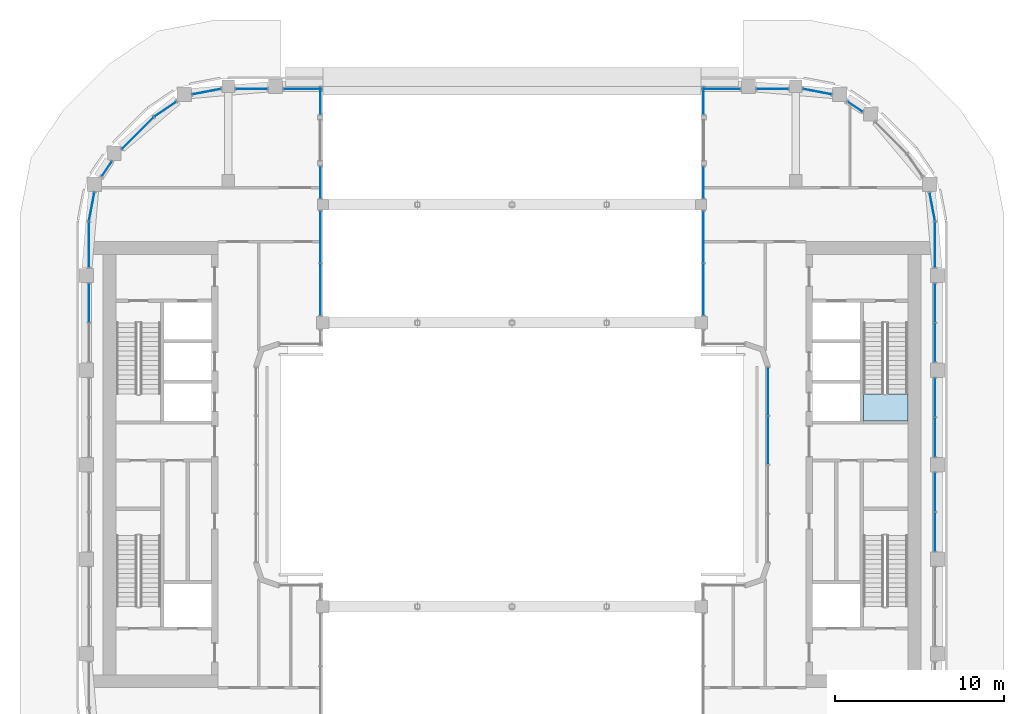
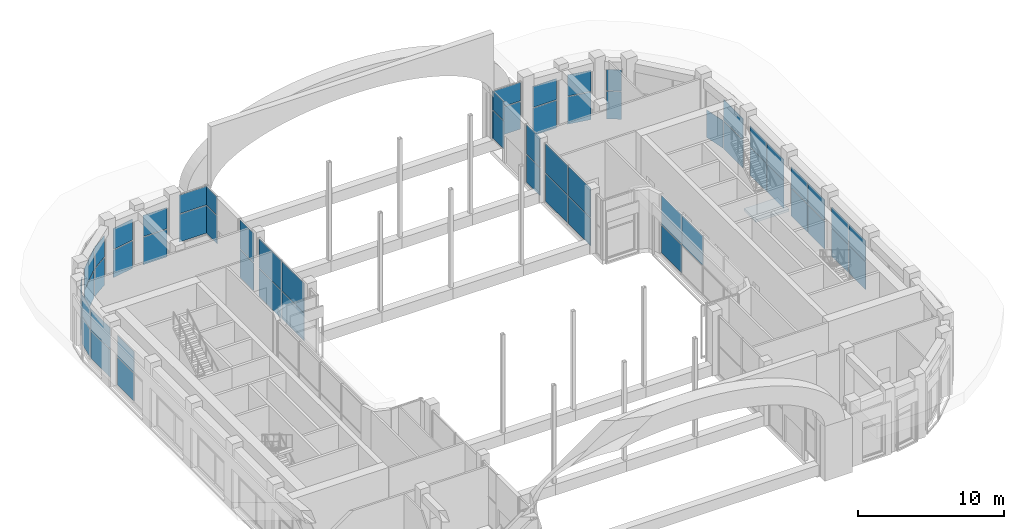
# One storey, part 13 of 26: 60 plates, 1 slab, 26 elements without a shape of their own.
"""IFC4 building model written with IfcOpenShell, lengths in metres."""

from ifc_helpers import new_model, si_unit, direction, frame, origin, origin_2d, place, context, subcontext, project, spatial, polyline, rectangle, outline, extrude, material, layer, layer_set, type_object, element, aggregate, save


model = new_model("IFC4")

# Units and contexts
model_context = context("Model", 3, precision=1e-05, world=origin(), true_north=direction((0.0, 1.0)))
body_context = subcontext(model_context, "Body", "Model", "MODEL_VIEW")
ifc_project = project(units=[si_unit("LENGTHUNIT", "METRE"), si_unit("AREAUNIT", "SQUARE_METRE"), si_unit("VOLUMEUNIT", "CUBIC_METRE"), si_unit("PLANEANGLEUNIT", "RADIAN"), si_unit("MASSUNIT", "GRAM", prefix="KILO")], contexts=[model_context])

# Site, building, storey
site_placement = place(None, origin())
site = spatial("IfcSite", under=ifc_project, at=site_placement, CompositionType="ELEMENT")
building_placement = place(site_placement, origin())
building = spatial("IfcBuilding", under=site, at=building_placement, Name="Kiln Ring Residences", CompositionType="ELEMENT")
storey_placement = place(building_placement, frame((0.0, 0.0, 230.89990234375)))
storey = spatial("IfcBuildingStorey", under=building, at=storey_placement, Name="L60", CompositionType="ELEMENT", Elevation=230.89990234375)

# Stair, slab
ifc_material_1 = material(Name="Concrete C40/50", Category="concrete")
stair_type = type_object("IfcStairType", Name="CORE-STAIR", PredefinedType="HALF_TURN_STAIR", material=ifc_material_1)
placement = place(storey_placement, origin())
stair = element("IfcStair", 1, at=placement, inside=storey, type_object=stair_type, Name="L60 stair E-STN", PredefinedType="HALF_TURN_STAIR")
ifc_material_2 = material(Name="Concrete C40/50", Category="concrete")
ifc_layer_1 = layer(ifc_material_2, 0.199951171875)
ifc_layer_set_1 = layer_set([ifc_layer_1], Name="CORE-STAIR-LANDING")
slab_type = type_object("IfcSlabType", Name="CORE-STAIR-LANDING", PredefinedType="LANDING", material=ifc_layer_set_1)
slab_placement = place(storey_placement, frame((0.0, 0.0, 2.5)))
slab = element("IfcSlab", 2, at=slab_placement, type_object=slab_type, Name="E-STN landing 1", PredefinedType="LANDING", context=body_context, shape_type="SweptSolid", body=[
    extrude(outline(polyline([(20.800048828125, 4.199951171875), (20.800048828125, 2.60009765625), (23.449951171875, 2.60009765625), (23.449951171875, 4.199951171875), (20.800048828125, 4.199951171875)])), origin(), (0.0, 0.0, 1.0), 0.2001953125),
])
aggregate(stair, [slab])

# Curtain wall, plates
ifc_material_3 = material(Name="Aluminium and glass", Category="aluminium")
ifc_layer_2 = layer(ifc_material_3, 0.199951171875)
ifc_layer_set_2 = layer_set([ifc_layer_2], Name="CW1 CURTAIN WALL")
curtain_wall_type = type_object("IfcCurtainWallType", Name="CW1 CURTAIN WALL", PredefinedType="NOTDEFINED", material=ifc_layer_set_2)
curtain_wall_1 = element("IfcCurtainWall", 3, at=placement, inside=storey, type_object=curtain_wall_type, Name="Curtain wall CW1 L60", PredefinedType="NOTDEFINED")
ifc_material_4 = material(Name="Glass, low-e laminated", Category="glass")
ifc_layer_3 = layer(ifc_material_4, 0.028076171875)
ifc_layer_set_3 = layer_set([ifc_layer_3], Name="CW1 PANEL 28")
plate_type = type_object("IfcPlateType", Name="CW1 PANEL 28", PredefinedType="CURTAIN_PANEL", material=ifc_layer_set_3)
plate_1_placement = place(storey_placement, frame((-11.35009765625, 10.364990234375, 0.06005859375), z_axis=(0.0, 0.0, 1.0), x_axis=(0.0, 1.0, 0.0)))
plate_1 = element("IfcPlate", 4, at=plate_1_placement, type_object=plate_type, Name="CW1 panel 1.1", PredefinedType="CURTAIN_PANEL", context=body_context, shape_type="SweptSolid", body=[
    extrude(rectangle(XDim=3.06005859375, YDim=0.028076171875, at=origin_2d()), origin(), (0.0, 0.0, 1.0), 2.31005859375),
])
plate_2_placement = place(storey_placement, frame((-11.35009765625, 10.364990234375, 2.43017578125), z_axis=(0.0, 0.0, 1.0), x_axis=(0.0, 1.0, 0.0)))
plate_2 = element("IfcPlate", 5, at=plate_2_placement, type_object=plate_type, Name="CW1 panel 1.2", PredefinedType="CURTAIN_PANEL", context=body_context, shape_type="SweptSolid", body=[
    extrude(rectangle(XDim=3.06005859375, YDim=0.028076171875, at=origin_2d()), origin(), (0.0, 0.0, 1.0), 2.4599609375),
])
plate_3_placement = place(storey_placement, frame((-11.35009765625, 13.485107421875, 0.06005859375), z_axis=(0.0, 0.0, 1.0), x_axis=(0.0, 1.0, 0.0)))
plate_3 = element("IfcPlate", 6, at=plate_3_placement, type_object=plate_type, Name="CW1 panel 2.1", PredefinedType="CURTAIN_PANEL", context=body_context, shape_type="SweptSolid", body=[
    extrude(rectangle(XDim=3.06005859375, YDim=0.028076171875, at=origin_2d()), origin(), (0.0, 0.0, 1.0), 2.31005859375),
])
plate_4_placement = place(storey_placement, frame((-11.35009765625, 13.485107421875, 2.43017578125), z_axis=(0.0, 0.0, 1.0), x_axis=(0.0, 1.0, 0.0)))
plate_4 = element("IfcPlate", 7, at=plate_4_placement, type_object=plate_type, Name="CW1 panel 2.2", PredefinedType="CURTAIN_PANEL", context=body_context, shape_type="SweptSolid", body=[
    extrude(rectangle(XDim=3.06005859375, YDim=0.028076171875, at=origin_2d()), origin(), (0.0, 0.0, 1.0), 2.4599609375),
])
aggregate(curtain_wall_1, [plate_1, plate_2, plate_3, plate_4])

curtain_wall_2 = element("IfcCurtainWall", 8, at=placement, inside=storey, type_object=curtain_wall_type, Name="Curtain wall CW1 L60", PredefinedType="NOTDEFINED")
plate_5_placement = place(storey_placement, frame((-11.35009765625, 16.71240234375, 0.06005859375), z_axis=(0.0, 0.0, 1.0), x_axis=(0.0, 1.0, 0.0)))
plate_5 = element("IfcPlate", 9, at=plate_5_placement, type_object=plate_type, Name="CW1 panel 1.1", PredefinedType="CURTAIN_PANEL", context=body_context, shape_type="SweptSolid", body=[
    extrude(rectangle(XDim=1.85498046875, YDim=0.028076171875, at=origin_2d()), origin(), (0.0, 0.0, 1.0), 2.31005859375),
])
plate_6_placement = place(storey_placement, frame((-11.35009765625, 16.71240234375, 2.43017578125), z_axis=(0.0, 0.0, 1.0), x_axis=(0.0, 1.0, 0.0)))
plate_6 = element("IfcPlate", 10, at=plate_6_placement, type_object=plate_type, Name="CW1 panel 1.2", PredefinedType="CURTAIN_PANEL", context=body_context, shape_type="SweptSolid", body=[
    extrude(rectangle(XDim=1.85498046875, YDim=0.028076171875, at=origin_2d()), origin(), (0.0, 0.0, 1.0), 2.4599609375),
])
aggregate(curtain_wall_2, [plate_5, plate_6])

curtain_wall_3 = element("IfcCurtainWall", 11, at=placement, inside=storey, type_object=curtain_wall_type, Name="Curtain wall CW1 L60", PredefinedType="NOTDEFINED")
plate_7_placement = place(storey_placement, frame((-11.35009765625, 21.550048828125, 0.9599609375), z_axis=(0.0, 0.0, 1.0), x_axis=(0.0, 1.0, 0.0)))
plate_7 = element("IfcPlate", 12, at=plate_7_placement, type_object=plate_type, Name="CW1 panel 1.1", PredefinedType="CURTAIN_PANEL", context=body_context, shape_type="SweptSolid", body=[
    extrude(rectangle(XDim=1.580078125, YDim=0.028076171875, at=origin_2d()), origin(), (0.0, 0.0, 1.0), 2.31005859375),
])
plate_8_placement = place(storey_placement, frame((-11.35009765625, 21.550048828125, 3.330078125), z_axis=(0.0, 0.0, 1.0), x_axis=(0.0, 1.0, 0.0)))
plate_8 = element("IfcPlate", 13, at=plate_8_placement, type_object=plate_type, Name="CW1 panel 1.2", PredefinedType="CURTAIN_PANEL", context=body_context, shape_type="SweptSolid", body=[
    extrude(rectangle(XDim=1.580078125, YDim=0.028076171875, at=origin_2d()), origin(), (0.0, 0.0, 1.0), 1.56005859375),
])
aggregate(curtain_wall_3, [plate_7, plate_8])

curtain_wall_4 = element("IfcCurtainWall", 14, at=placement, inside=storey, type_object=curtain_wall_type, Name="Curtain wall CW1 L60", PredefinedType="NOTDEFINED")
plate_9_placement = place(storey_placement, frame((-12.387451171875, 22.25, 0.9599609375), z_axis=(0.0, 0.0, 1.0), x_axis=(-1.0, 0.0, 0.0)))
plate_9 = element("IfcPlate", 15, at=plate_9_placement, type_object=plate_type, Name="CW1 panel 1.1", PredefinedType="CURTAIN_PANEL", context=body_context, shape_type="SweptSolid", body=[
    extrude(rectangle(XDim=2.2548828125, YDim=0.028076171875, at=origin_2d()), origin(), (0.0, 0.0, 1.0), 2.31005859375),
])
plate_10_placement = place(storey_placement, frame((-12.387451171875, 22.25, 3.330078125), z_axis=(0.0, 0.0, 1.0), x_axis=(-1.0, 0.0, 0.0)))
plate_10 = element("IfcPlate", 16, at=plate_10_placement, type_object=plate_type, Name="CW1 panel 1.2", PredefinedType="CURTAIN_PANEL", context=body_context, shape_type="SweptSolid", body=[
    extrude(rectangle(XDim=2.2548828125, YDim=0.028076171875, at=origin_2d()), origin(), (0.0, 0.0, 1.0), 1.56005859375),
])
aggregate(curtain_wall_4, [plate_9, plate_10])

curtain_wall_5 = element("IfcCurtainWall", 17, at=placement, inside=storey, type_object=curtain_wall_type, Name="Curtain wall CW1 L60", PredefinedType="NOTDEFINED")
plate_11_placement = place(storey_placement, frame((-15.425048828125, 22.25, 0.06005859375), z_axis=(0.0, 0.0, 1.0), x_axis=(-1.0, 0.0, 0.0)))
plate_11 = element("IfcPlate", 18, at=plate_11_placement, type_object=plate_type, Name="CW1 panel 1.1", PredefinedType="CURTAIN_PANEL", context=body_context, shape_type="SweptSolid", body=[
    extrude(rectangle(XDim=1.8798828125, YDim=0.028076171875, at=origin_2d()), origin(), (0.0, 0.0, 1.0), 2.31005859375),
])
plate_12_placement = place(storey_placement, frame((-15.425048828125, 22.25, 2.43017578125), z_axis=(0.0, 0.0, 1.0), x_axis=(-1.0, 0.0, 0.0)))
plate_12 = element("IfcPlate", 19, at=plate_12_placement, type_object=plate_type, Name="CW1 panel 1.2", PredefinedType="CURTAIN_PANEL", context=body_context, shape_type="SweptSolid", body=[
    extrude(rectangle(XDim=1.8798828125, YDim=0.028076171875, at=origin_2d()), origin(), (0.0, 0.0, 1.0), 1.760009765625),
])
aggregate(curtain_wall_5, [plate_11, plate_12])

curtain_wall_6 = element("IfcCurtainWall", 20, at=placement, inside=storey, type_object=curtain_wall_type, Name="Curtain wall CW1 L60", PredefinedType="NOTDEFINED")
plate_13_placement = place(storey_placement, frame((-18.07275390625, 22.080810546875, 0.06005859375), z_axis=(0.0, 0.0, 1.0), x_axis=(-0.982290257836, -0.18736555009, 0.0)))
plate_13 = element("IfcPlate", 21, at=plate_13_placement, type_object=plate_type, Name="CW1 panel 1.1", PredefinedType="CURTAIN_PANEL", context=body_context, shape_type="SweptSolid", body=[
    extrude(rectangle(XDim=1.7080078125, YDim=0.028076171875, at=origin_2d()), origin(), (0.0, 0.0, 1.0), 2.31005859375),
])
plate_14_placement = place(storey_placement, frame((-18.07275390625, 22.080810546875, 2.43017578125), z_axis=(0.0, 0.0, 1.0), x_axis=(-0.982290257836, -0.18736555009, 0.0)))
plate_14 = element("IfcPlate", 22, at=plate_14_placement, type_object=plate_type, Name="CW1 panel 1.2", PredefinedType="CURTAIN_PANEL", context=body_context, shape_type="SweptSolid", body=[
    extrude(rectangle(XDim=1.7080078125, YDim=0.028076171875, at=origin_2d()), origin(), (0.0, 0.0, 1.0), 1.760009765625),
])
aggregate(curtain_wall_6, [plate_13, plate_14])

curtain_wall_7 = element("IfcCurtainWall", 23, at=placement, inside=storey, type_object=curtain_wall_type, Name="Curtain wall CW1 L60", PredefinedType="NOTDEFINED")
plate_15_placement = place(storey_placement, frame((-20.523193359375, 21.047607421875, 0.06005859375), z_axis=(0.0, 0.0, 1.0), x_axis=(-0.827071553674, -0.562096651033, 0.0)))
plate_15 = element("IfcPlate", 24, at=plate_15_placement, type_object=plate_type, Name="CW1 panel 1.1", PredefinedType="CURTAIN_PANEL", context=body_context, shape_type="SweptSolid", body=[
    extrude(rectangle(XDim=1.54736328125, YDim=0.028076171875, at=origin_2d()), origin(), (0.0, 0.0, 1.0), 2.31005859375),
])
plate_16_placement = place(storey_placement, frame((-20.523193359375, 21.047607421875, 2.43017578125), z_axis=(0.0, 0.0, 1.0), x_axis=(-0.827071553674, -0.562096651033, 0.0)))
plate_16 = element("IfcPlate", 25, at=plate_16_placement, type_object=plate_type, Name="CW1 panel 1.2", PredefinedType="CURTAIN_PANEL", context=body_context, shape_type="SweptSolid", body=[
    extrude(rectangle(XDim=1.54736328125, YDim=0.028076171875, at=origin_2d()), origin(), (0.0, 0.0, 1.0), 1.760009765625),
])
aggregate(curtain_wall_7, [plate_15, plate_16])

curtain_wall_8 = element("IfcCurtainWall", 26, at=placement, inside=storey, type_object=curtain_wall_type, Name="Curtain wall CW1 L60", PredefinedType="NOTDEFINED")
plate_17_placement = place(storey_placement, frame((-22.162841796875, 19.625, 0.06005859375), z_axis=(0.0, 0.0, 1.0), x_axis=(-0.707106781187, -0.707106781187, 0.0)))
plate_17 = element("IfcPlate", 27, at=plate_17_placement, type_object=plate_type, Name="CW1 panel 1.1", PredefinedType="CURTAIN_PANEL", context=body_context, shape_type="SweptSolid", body=[
    extrude(rectangle(XDim=2.62890625, YDim=0.028076171875, at=origin_2d()), origin(), (0.0, 0.0, 1.0), 2.31005859375),
])
plate_18_placement = place(storey_placement, frame((-22.162841796875, 19.625, 2.43017578125), z_axis=(0.0, 0.0, 1.0), x_axis=(-0.707106781187, -0.707106781187, 0.0)))
plate_18 = element("IfcPlate", 28, at=plate_18_placement, type_object=plate_type, Name="CW1 panel 1.2", PredefinedType="CURTAIN_PANEL", context=body_context, shape_type="SweptSolid", body=[
    extrude(rectangle(XDim=2.62890625, YDim=0.028076171875, at=origin_2d()), origin(), (0.0, 0.0, 1.0), 1.760009765625),
])
aggregate(curtain_wall_8, [plate_17, plate_18])

curtain_wall_9 = element("IfcCurtainWall", 29, at=placement, inside=storey, type_object=curtain_wall_type, Name="Curtain wall CW1 L60", PredefinedType="NOTDEFINED")
plate_19_placement = place(storey_placement, frame((-23.9892578125, 17.514892578125, 0.06005859375), z_axis=(0.0, 0.0, 1.0), x_axis=(-0.562096650745, -0.82707155387, 0.0)))
plate_19 = element("IfcPlate", 30, at=plate_19_placement, type_object=plate_type, Name="CW1 panel 1.1", PredefinedType="CURTAIN_PANEL", context=body_context, shape_type="SweptSolid", body=[
    extrude(rectangle(XDim=1.04345703125, YDim=0.028076171875, at=origin_2d()), origin(), (0.0, 0.0, 1.0), 2.31005859375),
])
plate_20_placement = place(storey_placement, frame((-23.9892578125, 17.514892578125, 2.43017578125), z_axis=(0.0, 0.0, 1.0), x_axis=(-0.562096650745, -0.82707155387, 0.0)))
plate_20 = element("IfcPlate", 31, at=plate_20_placement, type_object=plate_type, Name="CW1 panel 1.2", PredefinedType="CURTAIN_PANEL", context=body_context, shape_type="SweptSolid", body=[
    extrude(rectangle(XDim=1.04345703125, YDim=0.028076171875, at=origin_2d()), origin(), (0.0, 0.0, 1.0), 1.760009765625),
])
aggregate(curtain_wall_9, [plate_19, plate_20])

curtain_wall_10 = element("IfcCurtainWall", 32, at=placement, inside=storey, type_object=curtain_wall_type, Name="Curtain wall CW1 L60", PredefinedType="NOTDEFINED")
plate_21_placement = place(storey_placement, frame((-24.881103515625, 15.271240234375, 0.06005859375), z_axis=(0.0, 0.0, 1.0), x_axis=(-0.187365550124, -0.982290257829, 0.0)))
plate_21 = element("IfcPlate", 33, at=plate_21_placement, type_object=plate_type, Name="CW1 panel 1.1", PredefinedType="CURTAIN_PANEL", context=body_context, shape_type="SweptSolid", body=[
    extrude(rectangle(XDim=1.711181640625, YDim=0.028076171875, at=origin_2d()), origin(), (0.0, 0.0, 1.0), 2.31005859375),
])
plate_22_placement = place(storey_placement, frame((-24.881103515625, 15.271240234375, 2.43017578125), z_axis=(0.0, 0.0, 1.0), x_axis=(-0.187365550124, -0.982290257829, 0.0)))
plate_22 = element("IfcPlate", 34, at=plate_22_placement, type_object=plate_type, Name="CW1 panel 1.2", PredefinedType="CURTAIN_PANEL", context=body_context, shape_type="SweptSolid", body=[
    extrude(rectangle(XDim=1.711181640625, YDim=0.028076171875, at=origin_2d()), origin(), (0.0, 0.0, 1.0), 1.760009765625),
])
aggregate(curtain_wall_10, [plate_21, plate_22])

curtain_wall_11 = element("IfcCurtainWall", 35, at=placement, inside=storey, type_object=curtain_wall_type, Name="Curtain wall CW1 L60", PredefinedType="NOTDEFINED")
plate_23_placement = place(storey_placement, frame((-25.050048828125, 13.012451171875, 0.06005859375), z_axis=(0.0, 0.0, 1.0), x_axis=(0.0, -1.0, 0.0)))
plate_23 = element("IfcPlate", 36, at=plate_23_placement, type_object=plate_type, Name="CW1 panel 1.1", PredefinedType="CURTAIN_PANEL", context=body_context, shape_type="SweptSolid", body=[
    extrude(rectangle(XDim=2.655029296875, YDim=0.028076171875, at=origin_2d()), origin(), (0.0, 0.0, 1.0), 2.31005859375),
])
plate_24_placement = place(storey_placement, frame((-25.050048828125, 13.012451171875, 2.43017578125), z_axis=(0.0, 0.0, 1.0), x_axis=(0.0, -1.0, 0.0)))
plate_24 = element("IfcPlate", 37, at=plate_24_placement, type_object=plate_type, Name="CW1 panel 1.2", PredefinedType="CURTAIN_PANEL", context=body_context, shape_type="SweptSolid", body=[
    extrude(rectangle(XDim=2.655029296875, YDim=0.028076171875, at=origin_2d()), origin(), (0.0, 0.0, 1.0), 1.760009765625),
])
aggregate(curtain_wall_11, [plate_23, plate_24])

curtain_wall_12 = element("IfcCurtainWall", 38, at=placement, inside=storey, type_object=curtain_wall_type, Name="Curtain wall CW1 L60", PredefinedType="NOTDEFINED")
plate_25_placement = place(storey_placement, frame((-25.050048828125, 9.572509765625, 0.06005859375), z_axis=(0.0, 0.0, 1.0), x_axis=(0.0, -1.0, 0.0)))
plate_25 = element("IfcPlate", 39, at=plate_25_placement, type_object=plate_type, Name="CW1 panel 1.1", PredefinedType="CURTAIN_PANEL", context=body_context, shape_type="SweptSolid", body=[
    extrude(rectangle(XDim=2.284912109375, YDim=0.028076171875, at=origin_2d()), origin(), (0.0, 0.0, 1.0), 2.31005859375),
])
plate_26_placement = place(storey_placement, frame((-25.050048828125, 9.572509765625, 2.43017578125), z_axis=(0.0, 0.0, 1.0), x_axis=(0.0, -1.0, 0.0)))
plate_26 = element("IfcPlate", 40, at=plate_26_placement, type_object=plate_type, Name="CW1 panel 1.2", PredefinedType="CURTAIN_PANEL", context=body_context, shape_type="SweptSolid", body=[
    extrude(rectangle(XDim=2.284912109375, YDim=0.028076171875, at=origin_2d()), origin(), (0.0, 0.0, 1.0), 1.760009765625),
])
aggregate(curtain_wall_12, [plate_25, plate_26])

curtain_wall_13 = element("IfcCurtainWall", 41, at=placement, inside=storey, type_object=curtain_wall_type, Name="Curtain wall CW1 L60", PredefinedType="NOTDEFINED")
plate_27_placement = place(storey_placement, frame((25.050048828125, -3.972412109375, 0.06005859375), z_axis=(0.0, 0.0, 1.0), x_axis=(0.0, 1.0, 0.0)))
plate_27 = element("IfcPlate", 42, at=plate_27_placement, type_object=plate_type, Name="CW1 panel 1.1", PredefinedType="CURTAIN_PANEL", context=body_context, shape_type="SweptSolid", body=[
    extrude(rectangle(XDim=2.284912109375, YDim=0.028076171875, at=origin_2d()), origin(), (0.0, 0.0, 1.0), 2.31005859375),
])
plate_28_placement = place(storey_placement, frame((25.050048828125, -3.972412109375, 2.43017578125), z_axis=(0.0, 0.0, 1.0), x_axis=(0.0, 1.0, 0.0)))
plate_28 = element("IfcPlate", 43, at=plate_28_placement, type_object=plate_type, Name="CW1 panel 1.2", PredefinedType="CURTAIN_PANEL", context=body_context, shape_type="SweptSolid", body=[
    extrude(rectangle(XDim=2.284912109375, YDim=0.028076171875, at=origin_2d()), origin(), (0.0, 0.0, 1.0), 1.760009765625),
])
plate_29_placement = place(storey_placement, frame((25.050048828125, -1.62744140625, 0.06005859375), z_axis=(0.0, 0.0, 1.0), x_axis=(0.0, 1.0, 0.0)))
plate_29 = element("IfcPlate", 44, at=plate_29_placement, type_object=plate_type, Name="CW1 panel 2.1", PredefinedType="CURTAIN_PANEL", context=body_context, shape_type="SweptSolid", body=[
    extrude(rectangle(XDim=2.284912109375, YDim=0.028076171875, at=origin_2d()), origin(), (0.0, 0.0, 1.0), 2.31005859375),
])
plate_30_placement = place(storey_placement, frame((25.050048828125, -1.62744140625, 2.43017578125), z_axis=(0.0, 0.0, 1.0), x_axis=(0.0, 1.0, 0.0)))
plate_30 = element("IfcPlate", 45, at=plate_30_placement, type_object=plate_type, Name="CW1 panel 2.2", PredefinedType="CURTAIN_PANEL", context=body_context, shape_type="SweptSolid", body=[
    extrude(rectangle(XDim=2.284912109375, YDim=0.028076171875, at=origin_2d()), origin(), (0.0, 0.0, 1.0), 1.760009765625),
])
aggregate(curtain_wall_13, [plate_27, plate_28, plate_29, plate_30])

curtain_wall_14 = element("IfcCurtainWall", 46, at=placement, inside=storey, type_object=curtain_wall_type, Name="Curtain wall CW1 L60", PredefinedType="NOTDEFINED")
plate_31_placement = place(storey_placement, frame((25.050048828125, 1.62744140625, 0.06005859375), z_axis=(0.0, 0.0, 1.0), x_axis=(0.0, 1.0, 0.0)))
plate_31 = element("IfcPlate", 47, at=plate_31_placement, type_object=plate_type, Name="CW1 panel 1.1", PredefinedType="CURTAIN_PANEL", context=body_context, shape_type="SweptSolid", body=[
    extrude(rectangle(XDim=2.284912109375, YDim=0.028076171875, at=origin_2d()), origin(), (0.0, 0.0, 1.0), 2.31005859375),
])
plate_32_placement = place(storey_placement, frame((25.050048828125, 1.62744140625, 2.43017578125), z_axis=(0.0, 0.0, 1.0), x_axis=(0.0, 1.0, 0.0)))
plate_32 = element("IfcPlate", 48, at=plate_32_placement, type_object=plate_type, Name="CW1 panel 1.2", PredefinedType="CURTAIN_PANEL", context=body_context, shape_type="SweptSolid", body=[
    extrude(rectangle(XDim=2.284912109375, YDim=0.028076171875, at=origin_2d()), origin(), (0.0, 0.0, 1.0), 1.760009765625),
])
plate_33_placement = place(storey_placement, frame((25.050048828125, 3.972412109375, 0.06005859375), z_axis=(0.0, 0.0, 1.0), x_axis=(0.0, 1.0, 0.0)))
plate_33 = element("IfcPlate", 49, at=plate_33_placement, type_object=plate_type, Name="CW1 panel 2.1", PredefinedType="CURTAIN_PANEL", context=body_context, shape_type="SweptSolid", body=[
    extrude(rectangle(XDim=2.284912109375, YDim=0.028076171875, at=origin_2d()), origin(), (0.0, 0.0, 1.0), 2.31005859375),
])
plate_34_placement = place(storey_placement, frame((25.050048828125, 3.972412109375, 2.43017578125), z_axis=(0.0, 0.0, 1.0), x_axis=(0.0, 1.0, 0.0)))
plate_34 = element("IfcPlate", 50, at=plate_34_placement, type_object=plate_type, Name="CW1 panel 2.2", PredefinedType="CURTAIN_PANEL", context=body_context, shape_type="SweptSolid", body=[
    extrude(rectangle(XDim=2.284912109375, YDim=0.028076171875, at=origin_2d()), origin(), (0.0, 0.0, 1.0), 1.760009765625),
])
aggregate(curtain_wall_14, [plate_31, plate_32, plate_33, plate_34])

curtain_wall_15 = element("IfcCurtainWall", 51, at=placement, inside=storey, type_object=curtain_wall_type, Name="Curtain wall CW1 L60", PredefinedType="NOTDEFINED")
plate_35_placement = place(storey_placement, frame((25.050048828125, 7.2275390625, 0.06005859375), z_axis=(0.0, 0.0, 1.0), x_axis=(0.0, 1.0, 0.0)))
plate_35 = element("IfcPlate", 52, at=plate_35_placement, type_object=plate_type, Name="CW1 panel 1.1", PredefinedType="CURTAIN_PANEL", context=body_context, shape_type="SweptSolid", body=[
    extrude(rectangle(XDim=2.284912109375, YDim=0.028076171875, at=origin_2d()), origin(), (0.0, 0.0, 1.0), 2.31005859375),
])
plate_36_placement = place(storey_placement, frame((25.050048828125, 7.2275390625, 2.43017578125), z_axis=(0.0, 0.0, 1.0), x_axis=(0.0, 1.0, 0.0)))
plate_36 = element("IfcPlate", 53, at=plate_36_placement, type_object=plate_type, Name="CW1 panel 1.2", PredefinedType="CURTAIN_PANEL", context=body_context, shape_type="SweptSolid", body=[
    extrude(rectangle(XDim=2.284912109375, YDim=0.028076171875, at=origin_2d()), origin(), (0.0, 0.0, 1.0), 1.760009765625),
])
plate_37_placement = place(storey_placement, frame((25.050048828125, 9.572509765625, 0.06005859375), z_axis=(0.0, 0.0, 1.0), x_axis=(0.0, 1.0, 0.0)))
plate_37 = element("IfcPlate", 54, at=plate_37_placement, type_object=plate_type, Name="CW1 panel 2.1", PredefinedType="CURTAIN_PANEL", context=body_context, shape_type="SweptSolid", body=[
    extrude(rectangle(XDim=2.284912109375, YDim=0.028076171875, at=origin_2d()), origin(), (0.0, 0.0, 1.0), 2.31005859375),
])
plate_38_placement = place(storey_placement, frame((25.050048828125, 9.572509765625, 2.43017578125), z_axis=(0.0, 0.0, 1.0), x_axis=(0.0, 1.0, 0.0)))
plate_38 = element("IfcPlate", 55, at=plate_38_placement, type_object=plate_type, Name="CW1 panel 2.2", PredefinedType="CURTAIN_PANEL", context=body_context, shape_type="SweptSolid", body=[
    extrude(rectangle(XDim=2.284912109375, YDim=0.028076171875, at=origin_2d()), origin(), (0.0, 0.0, 1.0), 1.760009765625),
])
aggregate(curtain_wall_15, [plate_35, plate_36, plate_37, plate_38])

curtain_wall_16 = element("IfcCurtainWall", 56, at=placement, inside=storey, type_object=curtain_wall_type, Name="Curtain wall CW1 L60", PredefinedType="NOTDEFINED")
plate_39_placement = place(storey_placement, frame((25.050048828125, 13.012451171875, 0.06005859375), z_axis=(0.0, 0.0, 1.0), x_axis=(0.0, 1.0, 0.0)))
plate_39 = element("IfcPlate", 57, at=plate_39_placement, type_object=plate_type, Name="CW1 panel 1.1", PredefinedType="CURTAIN_PANEL", context=body_context, shape_type="SweptSolid", body=[
    extrude(rectangle(XDim=2.655029296875, YDim=0.028076171875, at=origin_2d()), origin(), (0.0, 0.0, 1.0), 2.31005859375),
])
plate_40_placement = place(storey_placement, frame((25.050048828125, 13.012451171875, 2.43017578125), z_axis=(0.0, 0.0, 1.0), x_axis=(0.0, 1.0, 0.0)))
plate_40 = element("IfcPlate", 58, at=plate_40_placement, type_object=plate_type, Name="CW1 panel 1.2", PredefinedType="CURTAIN_PANEL", context=body_context, shape_type="SweptSolid", body=[
    extrude(rectangle(XDim=2.655029296875, YDim=0.028076171875, at=origin_2d()), origin(), (0.0, 0.0, 1.0), 1.760009765625),
])
aggregate(curtain_wall_16, [plate_39, plate_40])

# Curtain wall, plate
curtain_wall_17 = element("IfcCurtainWall", 59, at=placement, inside=storey, type_object=curtain_wall_type, Name="Curtain wall CW1 L60", PredefinedType="NOTDEFINED")
plate_41_placement = place(storey_placement, frame((24.881103515625, 15.271240234375, 0.06005859375), z_axis=(0.0, 0.0, 1.0), x_axis=(-0.187365550124, 0.982290257829, 0.0)))
plate_41 = element("IfcPlate", 60, at=plate_41_placement, type_object=plate_type, Name="CW1 panel 1.1", PredefinedType="CURTAIN_PANEL", context=body_context, shape_type="SweptSolid", body=[
    extrude(rectangle(XDim=1.711181640625, YDim=0.028076171875, at=origin_2d()), origin(), (0.0, 0.0, 1.0), 2.31005859375),
])
aggregate(curtain_wall_17, [plate_41])

# Curtain wall, plates
curtain_wall_18 = element("IfcCurtainWall", 61, at=placement, inside=storey, type_object=curtain_wall_type, Name="Curtain wall CW1 L60", PredefinedType="NOTDEFINED")
plate_42_placement = place(storey_placement, frame((20.314697265625, 21.189208984375, 0.06005859375), z_axis=(0.0, 0.0, 1.0), x_axis=(-0.82707155387, 0.562096650745, 0.0)))
plate_42 = element("IfcPlate", 62, at=plate_42_placement, type_object=plate_type, Name="CW1 panel 1.1", PredefinedType="CURTAIN_PANEL", context=body_context, shape_type="SweptSolid", body=[
    extrude(rectangle(XDim=1.04345703125, YDim=0.028076171875, at=origin_2d()), origin(), (0.0, 0.0, 1.0), 2.31005859375),
])
plate_43_placement = place(storey_placement, frame((20.314697265625, 21.189208984375, 2.43017578125), z_axis=(0.0, 0.0, 1.0), x_axis=(-0.82707155387, 0.562096650745, 0.0)))
plate_43 = element("IfcPlate", 63, at=plate_43_placement, type_object=plate_type, Name="CW1 panel 1.2", PredefinedType="CURTAIN_PANEL", context=body_context, shape_type="SweptSolid", body=[
    extrude(rectangle(XDim=1.04345703125, YDim=0.028076171875, at=origin_2d()), origin(), (0.0, 0.0, 1.0), 1.760009765625),
])
aggregate(curtain_wall_18, [plate_42, plate_43])

curtain_wall_19 = element("IfcCurtainWall", 64, at=placement, inside=storey, type_object=curtain_wall_type, Name="Curtain wall CW1 L60", PredefinedType="NOTDEFINED")
plate_44_placement = place(storey_placement, frame((18.07275390625, 22.080810546875, 0.06005859375), z_axis=(0.0, 0.0, 1.0), x_axis=(-0.982290257836, 0.18736555009, 0.0)))
plate_44 = element("IfcPlate", 65, at=plate_44_placement, type_object=plate_type, Name="CW1 panel 1.1", PredefinedType="CURTAIN_PANEL", context=body_context, shape_type="SweptSolid", body=[
    extrude(rectangle(XDim=1.7080078125, YDim=0.028076171875, at=origin_2d()), origin(), (0.0, 0.0, 1.0), 2.31005859375),
])
plate_45_placement = place(storey_placement, frame((18.07275390625, 22.080810546875, 2.43017578125), z_axis=(0.0, 0.0, 1.0), x_axis=(-0.982290257836, 0.18736555009, 0.0)))
plate_45 = element("IfcPlate", 66, at=plate_45_placement, type_object=plate_type, Name="CW1 panel 1.2", PredefinedType="CURTAIN_PANEL", context=body_context, shape_type="SweptSolid", body=[
    extrude(rectangle(XDim=1.7080078125, YDim=0.028076171875, at=origin_2d()), origin(), (0.0, 0.0, 1.0), 1.760009765625),
])
aggregate(curtain_wall_19, [plate_44, plate_45])

curtain_wall_20 = element("IfcCurtainWall", 67, at=placement, inside=storey, type_object=curtain_wall_type, Name="Curtain wall CW1 L60", PredefinedType="NOTDEFINED")
plate_46_placement = place(storey_placement, frame((15.425048828125, 22.25, 0.06005859375), z_axis=(0.0, 0.0, 1.0), x_axis=(-1.0, 0.0, 0.0)))
plate_46 = element("IfcPlate", 68, at=plate_46_placement, type_object=plate_type, Name="CW1 panel 1.1", PredefinedType="CURTAIN_PANEL", context=body_context, shape_type="SweptSolid", body=[
    extrude(rectangle(XDim=1.8798828125, YDim=0.028076171875, at=origin_2d()), origin(), (0.0, 0.0, 1.0), 2.31005859375),
])
plate_47_placement = place(storey_placement, frame((15.425048828125, 22.25, 2.43017578125), z_axis=(0.0, 0.0, 1.0), x_axis=(-1.0, 0.0, 0.0)))
plate_47 = element("IfcPlate", 69, at=plate_47_placement, type_object=plate_type, Name="CW1 panel 1.2", PredefinedType="CURTAIN_PANEL", context=body_context, shape_type="SweptSolid", body=[
    extrude(rectangle(XDim=1.8798828125, YDim=0.028076171875, at=origin_2d()), origin(), (0.0, 0.0, 1.0), 1.760009765625),
])
aggregate(curtain_wall_20, [plate_46, plate_47])

curtain_wall_21 = element("IfcCurtainWall", 70, at=placement, inside=storey, type_object=curtain_wall_type, Name="Curtain wall CW1 L60", PredefinedType="NOTDEFINED")
plate_48_placement = place(storey_placement, frame((12.387451171875, 22.25, 0.9599609375), z_axis=(0.0, 0.0, 1.0), x_axis=(-1.0, 0.0, 0.0)))
plate_48 = element("IfcPlate", 71, at=plate_48_placement, type_object=plate_type, Name="CW1 panel 1.1", PredefinedType="CURTAIN_PANEL", context=body_context, shape_type="SweptSolid", body=[
    extrude(rectangle(XDim=2.2548828125, YDim=0.028076171875, at=origin_2d()), origin(), (0.0, 0.0, 1.0), 2.31005859375),
])
plate_49_placement = place(storey_placement, frame((12.387451171875, 22.25, 3.330078125), z_axis=(0.0, 0.0, 1.0), x_axis=(-1.0, 0.0, 0.0)))
plate_49 = element("IfcPlate", 72, at=plate_49_placement, type_object=plate_type, Name="CW1 panel 1.2", PredefinedType="CURTAIN_PANEL", context=body_context, shape_type="SweptSolid", body=[
    extrude(rectangle(XDim=2.2548828125, YDim=0.028076171875, at=origin_2d()), origin(), (0.0, 0.0, 1.0), 1.56005859375),
])
aggregate(curtain_wall_21, [plate_48, plate_49])

curtain_wall_22 = element("IfcCurtainWall", 73, at=placement, inside=storey, type_object=curtain_wall_type, Name="Curtain wall CW1 L60", PredefinedType="NOTDEFINED")
plate_50_placement = place(storey_placement, frame((11.35009765625, 21.550048828125, 0.9599609375), z_axis=(0.0, 0.0, 1.0), x_axis=(0.0, -1.0, 0.0)))
plate_50 = element("IfcPlate", 74, at=plate_50_placement, type_object=plate_type, Name="CW1 panel 1.1", PredefinedType="CURTAIN_PANEL", context=body_context, shape_type="SweptSolid", body=[
    extrude(rectangle(XDim=1.580078125, YDim=0.028076171875, at=origin_2d()), origin(), (0.0, 0.0, 1.0), 2.31005859375),
])
plate_51_placement = place(storey_placement, frame((11.35009765625, 21.550048828125, 3.330078125), z_axis=(0.0, 0.0, 1.0), x_axis=(0.0, -1.0, 0.0)))
plate_51 = element("IfcPlate", 75, at=plate_51_placement, type_object=plate_type, Name="CW1 panel 1.2", PredefinedType="CURTAIN_PANEL", context=body_context, shape_type="SweptSolid", body=[
    extrude(rectangle(XDim=1.580078125, YDim=0.028076171875, at=origin_2d()), origin(), (0.0, 0.0, 1.0), 1.56005859375),
])
aggregate(curtain_wall_22, [plate_50, plate_51])

curtain_wall_23 = element("IfcCurtainWall", 76, at=placement, inside=storey, type_object=curtain_wall_type, Name="Curtain wall CW1 L60", PredefinedType="NOTDEFINED")
plate_52_placement = place(storey_placement, frame((11.35009765625, 16.71240234375, 0.06005859375), z_axis=(0.0, 0.0, 1.0), x_axis=(0.0, -1.0, 0.0)))
plate_52 = element("IfcPlate", 77, at=plate_52_placement, type_object=plate_type, Name="CW1 panel 1.1", PredefinedType="CURTAIN_PANEL", context=body_context, shape_type="SweptSolid", body=[
    extrude(rectangle(XDim=1.85498046875, YDim=0.028076171875, at=origin_2d()), origin(), (0.0, 0.0, 1.0), 2.31005859375),
])
plate_53_placement = place(storey_placement, frame((11.35009765625, 16.71240234375, 2.43017578125), z_axis=(0.0, 0.0, 1.0), x_axis=(0.0, -1.0, 0.0)))
plate_53 = element("IfcPlate", 78, at=plate_53_placement, type_object=plate_type, Name="CW1 panel 1.2", PredefinedType="CURTAIN_PANEL", context=body_context, shape_type="SweptSolid", body=[
    extrude(rectangle(XDim=1.85498046875, YDim=0.028076171875, at=origin_2d()), origin(), (0.0, 0.0, 1.0), 2.4599609375),
])
aggregate(curtain_wall_23, [plate_52, plate_53])

curtain_wall_24 = element("IfcCurtainWall", 79, at=placement, inside=storey, type_object=curtain_wall_type, Name="Curtain wall CW1 L60", PredefinedType="NOTDEFINED")
plate_54_placement = place(storey_placement, frame((11.35009765625, 13.485107421875, 0.06005859375), z_axis=(0.0, 0.0, 1.0), x_axis=(0.0, -1.0, 0.0)))
plate_54 = element("IfcPlate", 80, at=plate_54_placement, type_object=plate_type, Name="CW1 panel 1.1", PredefinedType="CURTAIN_PANEL", context=body_context, shape_type="SweptSolid", body=[
    extrude(rectangle(XDim=3.06005859375, YDim=0.028076171875, at=origin_2d()), origin(), (0.0, 0.0, 1.0), 2.31005859375),
])
plate_55_placement = place(storey_placement, frame((11.35009765625, 13.485107421875, 2.43017578125), z_axis=(0.0, 0.0, 1.0), x_axis=(0.0, -1.0, 0.0)))
plate_55 = element("IfcPlate", 81, at=plate_55_placement, type_object=plate_type, Name="CW1 panel 1.2", PredefinedType="CURTAIN_PANEL", context=body_context, shape_type="SweptSolid", body=[
    extrude(rectangle(XDim=3.06005859375, YDim=0.028076171875, at=origin_2d()), origin(), (0.0, 0.0, 1.0), 2.4599609375),
])
plate_56_placement = place(storey_placement, frame((11.35009765625, 10.364990234375, 0.06005859375), z_axis=(0.0, 0.0, 1.0), x_axis=(0.0, -1.0, 0.0)))
plate_56 = element("IfcPlate", 82, at=plate_56_placement, type_object=plate_type, Name="CW1 panel 2.1", PredefinedType="CURTAIN_PANEL", context=body_context, shape_type="SweptSolid", body=[
    extrude(rectangle(XDim=3.06005859375, YDim=0.028076171875, at=origin_2d()), origin(), (0.0, 0.0, 1.0), 2.31005859375),
])
plate_57_placement = place(storey_placement, frame((11.35009765625, 10.364990234375, 2.43017578125), z_axis=(0.0, 0.0, 1.0), x_axis=(0.0, -1.0, 0.0)))
plate_57 = element("IfcPlate", 83, at=plate_57_placement, type_object=plate_type, Name="CW1 panel 2.2", PredefinedType="CURTAIN_PANEL", context=body_context, shape_type="SweptSolid", body=[
    extrude(rectangle(XDim=3.06005859375, YDim=0.028076171875, at=origin_2d()), origin(), (0.0, 0.0, 1.0), 2.4599609375),
])
aggregate(curtain_wall_24, [plate_54, plate_55, plate_56, plate_57])

curtain_wall_25 = element("IfcCurtainWall", 84, at=placement, inside=storey, type_object=curtain_wall_type, Name="Curtain wall CW1 L60", PredefinedType="NOTDEFINED")
plate_58_placement = place(storey_placement, frame((15.14990234375, 4.3349609375, 0.06005859375), z_axis=(0.0, 0.0, 1.0), x_axis=(0.0, -1.0, 0.0)))
plate_58 = element("IfcPlate", 85, at=plate_58_placement, type_object=plate_type, Name="CW1 panel 1.1", PredefinedType="CURTAIN_PANEL", context=body_context, shape_type="SweptSolid", body=[
    extrude(rectangle(XDim=2.81005859375, YDim=0.028076171875, at=origin_2d()), origin(), (0.0, 0.0, 1.0), 2.31005859375),
])
plate_59_placement = place(storey_placement, frame((15.14990234375, 4.3349609375, 2.43017578125), z_axis=(0.0, 0.0, 1.0), x_axis=(0.0, -1.0, 0.0)))
plate_59 = element("IfcPlate", 86, at=plate_59_placement, type_object=plate_type, Name="CW1 panel 1.2", PredefinedType="CURTAIN_PANEL", context=body_context, shape_type="SweptSolid", body=[
    extrude(rectangle(XDim=2.81005859375, YDim=0.028076171875, at=origin_2d()), origin(), (0.0, 0.0, 1.0), 2.4599609375),
])
plate_60_placement = place(storey_placement, frame((15.14990234375, 1.449951171875, 2.43017578125), z_axis=(0.0, 0.0, 1.0), x_axis=(0.0, -1.0, 0.0)))
plate_60 = element("IfcPlate", 87, at=plate_60_placement, type_object=plate_type, Name="CW1 panel 2.2", PredefinedType="CURTAIN_PANEL", context=body_context, shape_type="SweptSolid", body=[
    extrude(rectangle(XDim=2.840087890625, YDim=0.028076171875, at=origin_2d()), origin(), (0.0, 0.0, 1.0), 2.4599609375),
])
aggregate(curtain_wall_25, [plate_58, plate_59, plate_60])

save(model, "model.ifc")
